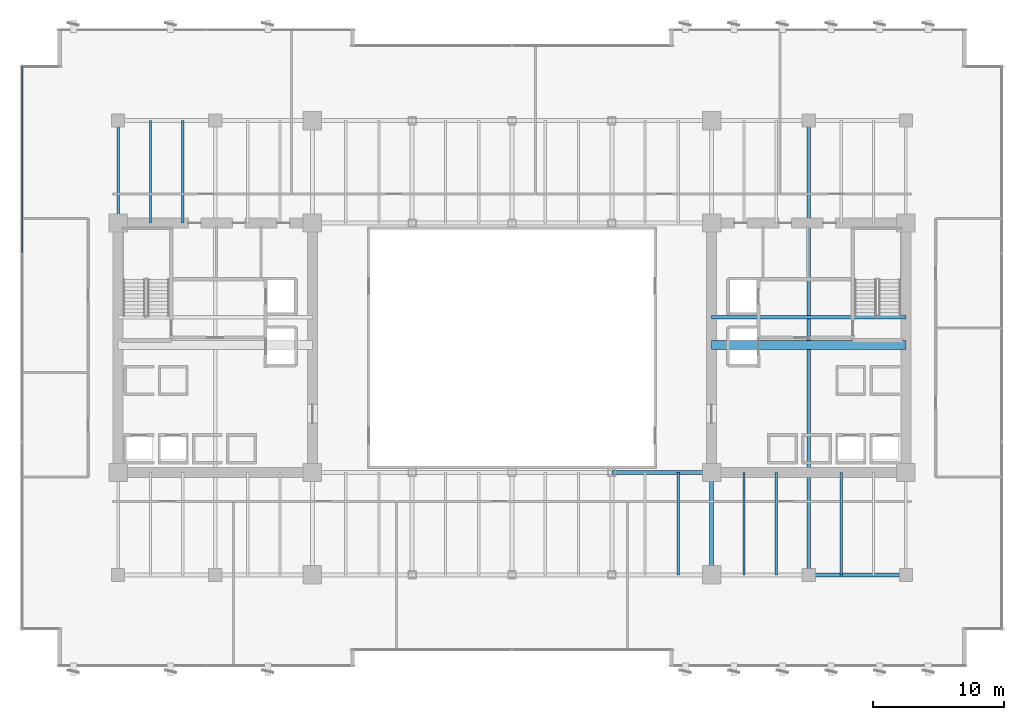
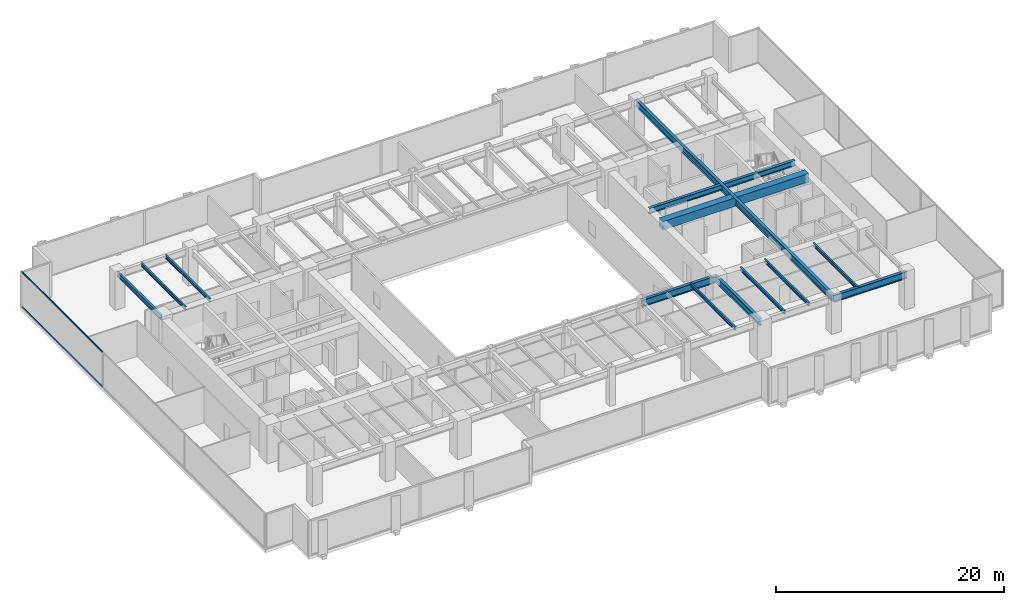
# One storey, part 11 of 36: 13 beams, 2 members, 1 element without a shape of its own.
"""IFC4 building model written with IfcOpenShell, lengths in metres."""

from ifc_helpers import new_model, si_unit, direction, frame, origin, origin_2d, place, context, subcontext, project, spatial, rectangle, hollow_rectangle, i_section, extrude, source, transform, mapped, material, layer, layer_set, material_profile, profile_set, type_object, type_shapes, element, aggregate, save


model = new_model("IFC4")

# Units and contexts
model_context = context("Model", 3, precision=1e-05, world=origin(), true_north=direction((0.0, 1.0)))
body_context = subcontext(model_context, "Body", "Model", "MODEL_VIEW")
ifc_project = project(units=[si_unit("LENGTHUNIT", "METRE"), si_unit("AREAUNIT", "SQUARE_METRE"), si_unit("VOLUMEUNIT", "CUBIC_METRE"), si_unit("PLANEANGLEUNIT", "RADIAN"), si_unit("MASSUNIT", "GRAM", prefix="KILO")], contexts=[model_context])

# Site, building, storey
site_placement = place(None, origin())
site = spatial("IfcSite", under=ifc_project, at=site_placement, CompositionType="ELEMENT")
building_placement = place(site_placement, origin())
building = spatial("IfcBuilding", under=site, at=building_placement, Name="Haelvirn Gate Laboratories", CompositionType="ELEMENT")
storey_placement = place(building_placement, frame((0.0, 0.0, 29.300048828125)))
storey = spatial("IfcBuildingStorey", under=building, at=storey_placement, Name="L07", CompositionType="ELEMENT", Elevation=29.300048828125)

# Beams
ifc_material_1 = material(Name="Concrete C60/75", Category="concrete")
ifc_material_profile_1 = material_profile(ifc_material_1, rectangle(XDim=0.699951171875, YDim=0.89990234375, at=origin_2d()), Name="RCB-700x900")
ifc_profile_set_1 = profile_set([ifc_material_profile_1], Name="Concrete C60/75")
beam_type_1 = type_object("IfcBeamType", Name="BM-RCB-900", PredefinedType="LINTEL", material=ifc_profile_set_1)
shared_shape_1 = source(origin(), body_context, "Body", "SweptSolid", [
    extrude(rectangle(XDim=0.699951171875, YDim=0.89990234375, at=origin_2d()), origin(), (0.0, 0.0, 1.0), 14.7998046875),
])
type_shapes(beam_type_1, [shared_shape_1])
beam_1_placement = place(storey_placement, frame((52.60009765625, 24.5, 3.329833984375), z_axis=(1.0, 0.0, 0.0), x_axis=(0.0, 1.0, 0.0)))
element("IfcBeam", 1, at=beam_1_placement, inside=storey, type_object=beam_type_1, Name="L07 East Core Coupling Beam", PredefinedType="LINTEL", context=body_context, shape_type="MappedRepresentation", body=[
    mapped(shared_shape_1, transform((0.0, 0.0, 0.0), scale=1.0)),
])
ifc_material_2 = material(Name="Steel SM355", Category="steel")
ifc_material_profile_2 = material_profile(ifc_material_2, i_section(OverallWidth=0.300048828125, OverallDepth=0.587890625, WebThickness=0.011962890625, FlangeThickness=0.02001953125, at=origin_2d()), Name="H-588x300x12x20")
ifc_profile_set_2 = profile_set([ifc_material_profile_2], Name="Steel SM355")
beam_type_2 = type_object("IfcBeamType", Name="BM-G-588", PredefinedType="BEAM", material=ifc_profile_set_2)
shared_shape_2 = source(origin(), body_context, "Body", "SweptSolid", [
    extrude(i_section(OverallWidth=0.300048828125, OverallDepth=0.587890625, WebThickness=0.011962890625, FlangeThickness=0.02001953125, at=origin_2d()), origin(), (0.0, 0.0, 1.0), 14.7998046875),
])
type_shapes(beam_type_2, [shared_shape_2])
beam_2_placement = place(storey_placement, frame((52.60009765625, 26.6201171875, 3.48583984375), z_axis=(1.0, 0.0, 0.0), x_axis=(0.0, 1.0, 0.0)))
element("IfcBeam", 2, at=beam_2_placement, inside=storey, type_object=beam_type_2, Name="L07 Stair ST2 Landing Header", PredefinedType="BEAM", context=body_context, shape_type="MappedRepresentation", body=[
    mapped(shared_shape_2, transform((0.0, 0.0, 0.0), scale=1.0)),
])
ifc_material_profile_3 = material_profile(ifc_material_2, i_section(OverallWidth=0.300048828125, OverallDepth=0.699951171875, WebThickness=0.012939453125, FlangeThickness=0.02392578125, at=origin_2d()), Name="H-700x300x13x24")
ifc_profile_set_3 = profile_set([ifc_material_profile_3], Name="Steel SM355")
beam_type_3 = type_object("IfcBeamType", Name="BM-G-700", PredefinedType="BEAM", material=ifc_profile_set_3)
shared_shape_3 = source(origin(), body_context, "Body", "SweptSolid", [
    extrude(i_section(OverallWidth=0.300048828125, OverallDepth=0.699951171875, WebThickness=0.012939453125, FlangeThickness=0.02392578125, at=origin_2d()), origin(), (0.0, 0.0, 1.0), 7.800048828125),
])
beam_3_placement = place(storey_placement, frame((52.60009765625, 7.0, 3.429931640625), z_axis=(0.0, 1.0, 0.0), x_axis=(-1.0, 0.0, 0.0)))
element("IfcBeam", 3, at=beam_3_placement, inside=storey, type_object=beam_type_3, Name="L07 Frame Girder X52.6 (7.0-14.8)", PredefinedType="BEAM", context=body_context, shape_type="MappedRepresentation", body=[
    mapped(shared_shape_3, transform((0.0, 0.0, 0.0), scale=1.0)),
])
shared_shape_4 = source(origin(), body_context, "Body", "SweptSolid", [
    extrude(i_section(OverallWidth=0.300048828125, OverallDepth=0.699951171875, WebThickness=0.012939453125, FlangeThickness=0.02392578125, at=origin_2d()), origin(), (0.0, 0.0, 1.0), 34.60009765625),
])
type_shapes(beam_type_3, [shared_shape_3, shared_shape_4])
beam_4_placement = place(storey_placement, frame((60.0, 7.0, 3.429931640625), z_axis=(0.0, 1.0, 0.0), x_axis=(-1.0, 0.0, 0.0)))
element("IfcBeam", 4, at=beam_4_placement, inside=storey, type_object=beam_type_3, Name="L07 Frame Girder X60.0 (7.0-41.6)", PredefinedType="BEAM", context=body_context, shape_type="MappedRepresentation", body=[
    mapped(shared_shape_4, transform((0.0, 0.0, 0.0), scale=1.0)),
])
ifc_material_profile_4 = material_profile(ifc_material_2, i_section(OverallWidth=0.300048828125, OverallDepth=0.75, WebThickness=0.013916015625, FlangeThickness=0.02392578125, at=origin_2d()), Name="H-750x300x14x24")
ifc_profile_set_4 = profile_set([ifc_material_profile_4], Name="Steel SM355")
beam_type_4 = type_object("IfcBeamType", Name="BM-G-750", PredefinedType="BEAM", material=ifc_profile_set_4)
shared_shape_5 = source(origin(), body_context, "Body", "SweptSolid", [
    extrude(i_section(OverallWidth=0.300048828125, OverallDepth=0.75, WebThickness=0.013916015625, FlangeThickness=0.02392578125, at=origin_2d()), origin(), (0.0, 0.0, 1.0), 7.39990234375),
])
beam_5_placement = place(storey_placement, frame((60.0, 7.0, 3.405029296875), z_axis=(1.0, 0.0, 0.0), x_axis=(0.0, 1.0, 0.0)))
element("IfcBeam", 5, at=beam_5_placement, inside=storey, type_object=beam_type_4, Name="L07 Primary Girder Y7.0 (60.0-67.4)", PredefinedType="BEAM", context=body_context, shape_type="MappedRepresentation", body=[
    mapped(shared_shape_5, transform((0.0, 0.0, 0.0), scale=1.0)),
])
shared_shape_6 = source(origin(), body_context, "Body", "SweptSolid", [
    extrude(i_section(OverallWidth=0.300048828125, OverallDepth=0.75, WebThickness=0.013916015625, FlangeThickness=0.02392578125, at=origin_2d()), origin(), (0.0, 0.0, 1.0), 7.60009765625),
])
type_shapes(beam_type_4, [shared_shape_5, shared_shape_6])
beam_6_placement = place(storey_placement, frame((45.0, 14.800048828125, 3.405029296875), z_axis=(1.0, 0.0, 0.0), x_axis=(0.0, 1.0, 0.0)))
element("IfcBeam", 6, at=beam_6_placement, inside=storey, type_object=beam_type_4, Name="L07 Primary Girder Y14.8 (45.0-52.6)", PredefinedType="BEAM", context=body_context, shape_type="MappedRepresentation", body=[
    mapped(shared_shape_6, transform((0.0, 0.0, 0.0), scale=1.0)),
])
ifc_material_profile_5 = material_profile(ifc_material_2, i_section(OverallWidth=0.199951171875, OverallDepth=0.5, WebThickness=0.010009765625, FlangeThickness=0.01611328125, at=origin_2d()), Name="H-500x200x10x16")
ifc_profile_set_5 = profile_set([ifc_material_profile_5], Name="Steel SM355")
beam_type_5 = type_object("IfcBeamType", Name="BM-SP-500", PredefinedType="SPANDREL", material=ifc_profile_set_5)
shared_shape_7 = source(origin(), body_context, "Body", "SweptSolid", [
    extrude(i_section(OverallWidth=0.199951171875, OverallDepth=0.5, WebThickness=0.010009765625, FlangeThickness=0.01611328125, at=origin_2d()), origin(), (0.0, 0.0, 1.0), 7.800048828125),
])
type_shapes(beam_type_5, [shared_shape_7])
beam_7_placement = place(storey_placement, frame((7.39990234375, 33.800048828125, 3.530029296875), z_axis=(0.0, 1.0, 0.0), x_axis=(-1.0, 0.0, 0.0)))
element("IfcBeam", 7, at=beam_7_placement, inside=storey, type_object=beam_type_5, Name="L07 Perimeter Spandrel X7.4 (33.8-41.6)", PredefinedType="SPANDREL", context=body_context, shape_type="MappedRepresentation", body=[
    mapped(shared_shape_7, transform((0.0, 0.0, 0.0), scale=1.0)),
])
ifc_material_profile_6 = material_profile(ifc_material_2, i_section(OverallWidth=0.175048828125, OverallDepth=0.35009765625, WebThickness=0.007080078125, FlangeThickness=0.010986328125, at=origin_2d()), Name="H-350x175x7x11")
ifc_profile_set_6 = profile_set([ifc_material_profile_6], Name="Steel SM355")
beam_type_6 = type_object("IfcBeamType", Name="BM-J-350", PredefinedType="JOIST", material=ifc_profile_set_6)
shared_shape_8 = source(origin(), body_context, "Body", "SweptSolid", [
    extrude(i_section(OverallWidth=0.175048828125, OverallDepth=0.35009765625, WebThickness=0.007080078125, FlangeThickness=0.010986328125, at=origin_2d()), origin(), (0.0, 0.0, 1.0), 7.800048828125),
])
type_shapes(beam_type_6, [shared_shape_8])
for number, where, z_axis, x_axis, name in (
    (8, (9.8701171875, 33.800048828125, 3.60498046875), (0.0, 1.0, 0.0), (-1.0, 0.0, 0.0), "L07 Composite Lab Joist North X9.87"),
    (9, (12.330078125, 33.800048828125, 3.60498046875), (0.0, 1.0, 0.0), (-1.0, 0.0, 0.0), "L07 Composite Lab Joist North X12.33"),
    (10, (50.070068359375, 7.0, 3.60498046875), (0.0, 1.0, 0.0), (-1.0, 0.0, 0.0), "L07 Composite Lab Joist South X50.07"),
    (11, (55.070068359375, 7.0, 3.60498046875), (0.0, 1.0, 0.0), (-1.0, 0.0, 0.0), "L07 Composite Lab Joist South X55.07"),
    (12, (57.530029296875, 7.0, 3.60498046875), (0.0, 1.0, 0.0), (-1.0, 0.0, 0.0), "L07 Composite Lab Joist South X57.53"),
    (13, (62.469970703125, 7.0, 3.60498046875), (0.0, 1.0, 0.0), (-1.0, 0.0, 0.0), "L07 Composite Lab Joist South X62.47"),
):
    element("IfcBeam", number, at=place(storey_placement, frame(where, z_axis=z_axis, x_axis=x_axis)), inside=storey, type_object=beam_type_6, Name=name, PredefinedType="JOIST", context=body_context, shape_type="MappedRepresentation", body=[
        mapped(shared_shape_8, transform((0.0, 0.0, 0.0), scale=1.0)),
    ])

# Curtain wall, members
ifc_material_3 = material(Name="Anodised bronze unitised aluminium & triple low-E glass", Category="aluminium")
ifc_layer = layer(ifc_material_3, 0.18408203125, Name="CW-SYS-2")
ifc_layer_set = layer_set([ifc_layer], Name="Anodised bronze unitised aluminium & triple low-E glass")
curtain_wall_type = type_object("IfcCurtainWallType", Name="CW-SYS-2", PredefinedType="NOTDEFINED", material=ifc_layer_set)
curtain_wall_placement = place(storey_placement, origin())
curtain_wall = element("IfcCurtainWall", 14, at=curtain_wall_placement, inside=storey, type_object=curtain_wall_type, Name="L07 Unitised Curtain Wall CW-L07-P0-E17", PredefinedType="NOTDEFINED")
ifc_material_4 = material(Name="Extruded aluminium 6063-T6 (anodised bronze)", Category="aluminium")
ifc_material_profile_7 = material_profile(ifc_material_4, hollow_rectangle(XDim=0.070068359375, YDim=0.159912109375, WallThickness=0.0048828125, at=origin_2d()), Name="CWT-160x70x5")
ifc_profile_set_7 = profile_set([ifc_material_profile_7], Name="Extruded aluminium 6063-T6 (anodised bronze)")
member_type = type_object("IfcMemberType", Name="CWT-T160", PredefinedType="USERDEFINED", material=ifc_profile_set_7)
shared_shape_9 = source(origin(), body_context, "Body", "SweptSolid", [
    extrude(hollow_rectangle(XDim=0.070068359375, YDim=0.159912109375, WallThickness=0.0048828125, at=origin_2d()), origin(), (0.0, 0.0, 1.0), 14.220947265625),
])
type_shapes(member_type, [shared_shape_9])
member_1_placement = place(storey_placement, frame((0.10009765625, 45.72509765625, 0.034912109375), z_axis=(0.0, -1.0, 0.0), x_axis=(1.0, 0.0, 0.0)))
member_1 = element("IfcMember", 15, at=member_1_placement, type_object=member_type, Name="CW2 transom 1.1", ObjectType="TRANSOM", PredefinedType="USERDEFINED", context=body_context, shape_type="MappedRepresentation", body=[
    mapped(shared_shape_9, transform((0.0, 0.0, 0.0), scale=1.0)),
])
member_2_placement = place(storey_placement, frame((0.10009765625, 45.72509765625, 3.744873046875), z_axis=(0.0, -1.0, 0.0), x_axis=(1.0, 0.0, 0.0)))
member_2 = element("IfcMember", 16, at=member_2_placement, type_object=member_type, Name="CW2 transom 1.2", ObjectType="TRANSOM", PredefinedType="USERDEFINED", context=body_context, shape_type="MappedRepresentation", body=[
    mapped(shared_shape_9, transform((0.0, 0.0, 0.0), scale=1.0)),
])
aggregate(curtain_wall, [member_1, member_2])

save(model, "model.ifc")
